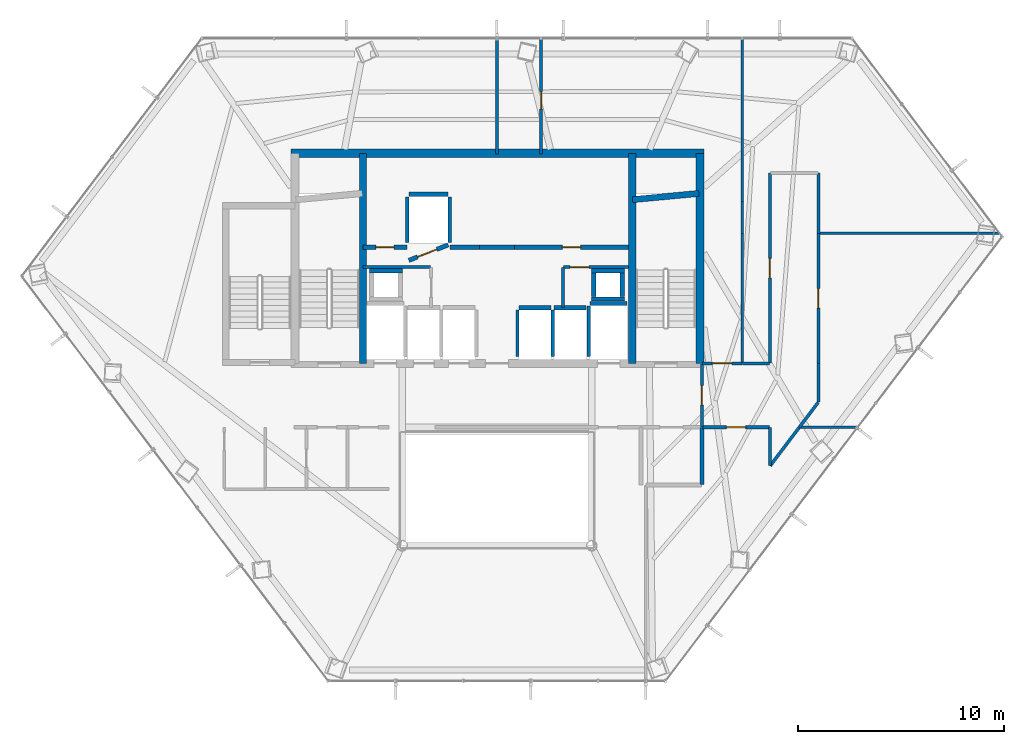
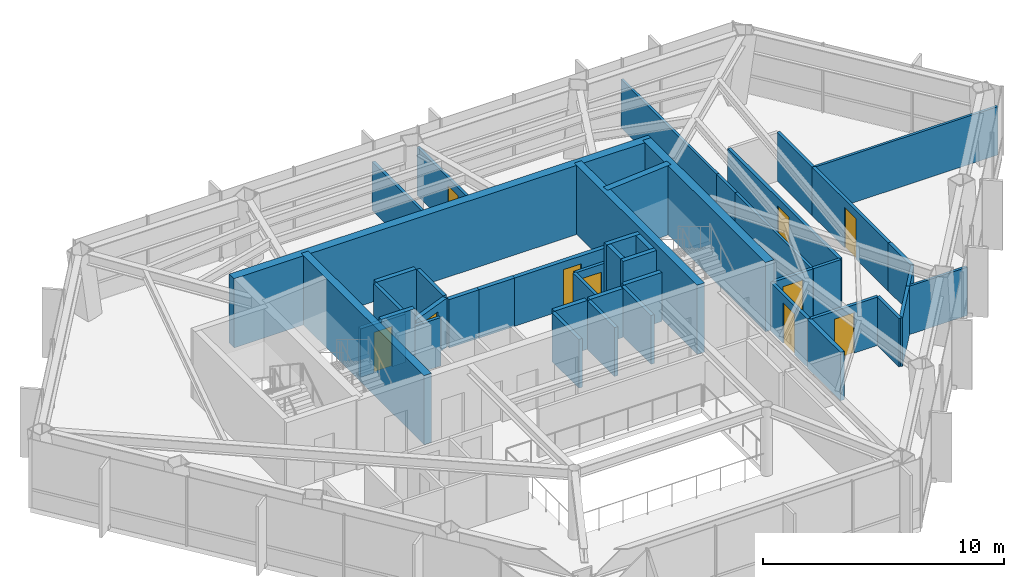
# One storey, part 26 of 28: 46 walls, 10 doors, 10 openings.
"""IFC4 building model written with IfcOpenShell, lengths in metres."""

from ifc_helpers import new_model, si_unit, direction, frame, frame_2d, origin, place, context, subcontext, project, spatial, rectangle, extrude, material, layer, layer_set, type_object, element, fill, save


model = new_model("IFC4")

# Units and contexts
model_context = context("Model", 3, precision=1e-05, world=origin(), true_north=direction((0.0, 1.0)))
body_context = subcontext(model_context, "Body", "Model", "MODEL_VIEW")
ifc_project = project(units=[si_unit("LENGTHUNIT", "METRE"), si_unit("AREAUNIT", "SQUARE_METRE"), si_unit("VOLUMEUNIT", "CUBIC_METRE"), si_unit("PLANEANGLEUNIT", "RADIAN"), si_unit("MASSUNIT", "GRAM", prefix="KILO")], contexts=[model_context])

# Site, building, storey
site_placement = place(None, origin())
site = spatial("IfcSite", under=ifc_project, at=site_placement, CompositionType="ELEMENT")
building_placement = place(site_placement, origin())
building = spatial("IfcBuilding", under=site, at=building_placement, Name="Zarrinselat Tower", CompositionType="ELEMENT")
storey_placement = place(building_placement, frame((0.0, 0.0, 153.340087890625)))
storey = spatial("IfcBuildingStorey", under=building, at=storey_placement, Name="L37", CompositionType="ELEMENT", Elevation=153.340087890625)

# Walls
ifc_material_1 = material(Name="Concrete C40/50", Category="concrete")
ifc_layer_1 = layer(ifc_material_1, 0.18994140625)
ifc_layer_set_1 = layer_set([ifc_layer_1], Name="Concrete C40/50")
wall_type_1 = type_object("IfcWallType", Name="WAL-PART-EI120", PredefinedType="PARTITIONING", material=ifc_layer_set_1)
wall_1_placement = place(storey_placement, frame((48.35009765625, 27.3701171875, 0.0), z_axis=(0.0, 0.0, 1.0), x_axis=(0.0, 1.0, 0.0)))
element("IfcWall", 1, at=wall_1_placement, inside=storey, type_object=wall_type_1, Name="L37 Partition Wall 17", PredefinedType="PARTITIONING", context=body_context, shape_type="SweptSolid", body=[
    extrude(rectangle(XDim=2.759765625, YDim=0.18994140625, at=frame_2d((1.3798828125, 0.0))), origin(), (0.0, 0.0, 1.0), 2.447021484375),
])
ifc_material_2 = material(Name="Fire-Rated Gypsum Board Partition", Category="gypsum")
ifc_layer_2 = layer(ifc_material_2, 0.14990234375)
ifc_layer_set_2 = layer_set([ifc_layer_2], Name="Fire-Rated Gypsum Board Partition")
wall_type_2 = type_object("IfcWallType", Name="WAL-PART-EI60", PredefinedType="PARTITIONING", material=ifc_layer_set_2)
wall_2_placement = place(storey_placement, frame((31.885009765625, 37.919921875, 0.0), z_axis=(0.0, 0.0, 1.0), x_axis=(1.0, 0.0, 0.0)))
element("IfcWall", 2, at=wall_2_placement, inside=storey, type_object=wall_type_2, Name="L37 Partition Wall 2", PredefinedType="PARTITIONING", context=body_context, shape_type="SweptSolid", body=[
    extrude(rectangle(XDim=3.294921875, YDim=0.14990234375, at=frame_2d((1.6474609375, 0.0))), origin(), (0.0, 0.0, 1.0), 2.447021484375),
])

# Wall, opening, door
wall_3_placement = place(storey_placement, frame((41.6201171875, 37.919921875, 0.0), z_axis=(0.0, 0.0, 1.0), x_axis=(1.0, 0.0, 0.0)))
wall_3 = element("IfcWall", 3, at=wall_3_placement, inside=storey, type_object=wall_type_2, Name="L37 Partition Wall 7", PredefinedType="PARTITIONING", context=body_context, shape_type="SweptSolid", body=[
    extrude(rectangle(XDim=3.164794921875, YDim=0.14990234375, at=frame_2d((1.58251953125, 0.0))), origin(), (0.0, 0.0, 1.0), 2.447021484375),
])
opening_1_placement = place(wall_3_placement, frame((0.3125, 0.0, 0.0)))
opening_1 = element("IfcOpeningElement", 4, at=opening_1_placement, cuts=wall_3, Name="Opening ID-04", PredefinedType="OPENING", context=body_context, shape_type="SweptSolid", body=[
    extrude(rectangle(XDim=0.93994140625, YDim=2.050048828125, at=frame_2d((0.469970703125, 1.02490234375))), frame((0.0, 0.0849609375, 0.0), z_axis=(0.0, -1.0, 0.0), x_axis=(1.0, 0.0, 0.0)), (0.0, 0.0, 1.0), 0.169921875),
])
ifc_material_3 = material(Name="Fire-Rated Gypsum Board Partition")
door_type_1 = type_object("IfcDoorType", Name="DR-INT-FD30-ENT", OperationType="NOTDEFINED", PredefinedType="DOOR", material=ifc_material_3)
door_1_placement = place(opening_1_placement, origin())
door_1 = element("IfcDoor", 5, at=door_1_placement, inside=storey, type_object=door_type_1, Name="L37 Interior Door P7", OperationType="SINGLE_SWING_RIGHT", OverallHeight=2.050048828125, OverallWidth=0.93994140625, PredefinedType="DOOR", context=body_context, shape_type="SweptSolid", body=[
    extrude(rectangle(XDim=0.93994140625, YDim=2.050048828125, at=frame_2d((0.469970703125, 1.02490234375))), frame((0.0, 0.02490234375, 0.0), z_axis=(0.0, -1.0, 0.0), x_axis=(1.0, 0.0, 0.0)), (0.0, 0.0, 1.0), 0.050048828125),
])
fill(opening_1, door_1)

# Wall
wall_4_placement = place(storey_placement, frame((41.60009765625, 35.969970703125, 0.0), z_axis=(0.0, 0.0, 1.0), x_axis=(0.0, 1.0, 0.0)))
element("IfcWall", 6, at=wall_4_placement, inside=storey, type_object=wall_type_2, Name="L37 Partition Wall 8", PredefinedType="PARTITIONING", context=body_context, shape_type="SweptSolid", body=[
    extrude(rectangle(XDim=1.929931640625, YDim=0.14990234375, at=frame_2d((0.96484375, 0.0))), origin(), (0.0, 0.0, 1.0), 2.447021484375),
])

# Wall, opening, door
wall_5_placement = place(storey_placement, frame((48.35009765625, 30.169921875, 0.0), z_axis=(0.0, 0.0, 1.0), x_axis=(0.0, 1.0, 0.0)))
wall_5 = element("IfcWall", 7, at=wall_5_placement, inside=storey, type_object=wall_type_2, Name="L37 Partition Wall 10", PredefinedType="PARTITIONING", context=body_context, shape_type="SweptSolid", body=[
    extrude(rectangle(XDim=3.06005859375, YDim=0.14990234375, at=frame_2d((1.530029296875, 0.0))), origin(), (0.0, 0.0, 1.0), 2.447021484375),
])
opening_2_placement = place(wall_5_placement, frame((1.06005859375, 0.0, 0.0)))
opening_2 = element("IfcOpeningElement", 8, at=opening_2_placement, cuts=wall_5, Name="Opening ID-04", PredefinedType="OPENING", context=body_context, shape_type="SweptSolid", body=[
    extrude(rectangle(XDim=0.93994140625, YDim=2.050048828125, at=frame_2d((0.469970703125, 1.02490234375))), frame((0.0, 0.0849609375, 0.0), z_axis=(0.0, -1.0, 0.0), x_axis=(1.0, 0.0, 0.0)), (0.0, 0.0, 1.0), 0.169921875),
])
door_2_placement = place(opening_2_placement, origin())
door_2 = element("IfcDoor", 9, at=door_2_placement, inside=storey, type_object=door_type_1, Name="L37 Interior Door P10", OperationType="SINGLE_SWING_RIGHT", OverallHeight=2.050048828125, OverallWidth=0.93994140625, PredefinedType="DOOR", context=body_context, shape_type="SweptSolid", body=[
    extrude(rectangle(XDim=0.93994140625, YDim=2.050048828125, at=frame_2d((0.469970703125, 1.02490234375))), frame((0.0, 0.02490234375, 0.0), z_axis=(0.0, -1.0, 0.0), x_axis=(1.0, 0.0, 0.0)), (0.0, 0.0, 1.0), 0.050048828125),
])
fill(opening_2, door_2)

# Walls
wall_6_placement = place(storey_placement, frame((51.662109375, 28.28173828125, 0.0), z_axis=(0.0, 0.0, 1.0), x_axis=(0.603811538878, 0.797127107504, 0.0)))
element("IfcWall", 10, at=wall_6_placement, inside=storey, type_object=wall_type_2, Name="L37 Partition Wall 18", PredefinedType="PARTITIONING", context=body_context, shape_type="SweptSolid", body=[
    extrude(rectangle(XDim=2.3427734375, YDim=0.14990234375, at=frame_2d((1.17138671875, 0.0))), origin(), (0.0, 0.0, 1.0), 2.447021484375),
])
wall_7_placement = place(storey_placement, frame((51.64990234375, 28.285888671875, 0.0), z_axis=(0.0, 0.0, 1.0), x_axis=(0.0, 1.0, 0.0)))
element("IfcWall", 11, at=wall_7_placement, inside=storey, type_object=wall_type_2, Name="L37 Partition Wall 19", PredefinedType="PARTITIONING", context=body_context, shape_type="SweptSolid", body=[
    extrude(rectangle(XDim=1.843994140625, YDim=0.14990234375, at=frame_2d((0.921875, 0.0))), origin(), (0.0, 0.0, 1.0), 2.447021484375),
])

# Wall, opening, door
wall_8_placement = place(storey_placement, frame((48.3701171875, 30.14990234375, 0.0), z_axis=(0.0, 0.0, 1.0), x_axis=(1.0, 0.0, 0.0)))
wall_8 = element("IfcWall", 12, at=wall_8_placement, inside=storey, type_object=wall_type_2, Name="L37 Partition Wall 20", PredefinedType="PARTITIONING", context=body_context, shape_type="SweptSolid", body=[
    extrude(rectangle(XDim=3.259765625, YDim=0.14990234375, at=frame_2d((1.6298828125, 0.0))), origin(), (0.0, 0.0, 1.0), 2.447021484375),
])
opening_3_placement = place(wall_8_placement, frame((1.159912109375, 0.0, 0.0)))
opening_3 = element("IfcOpeningElement", 13, at=opening_3_placement, cuts=wall_8, Name="Opening ID-04", PredefinedType="OPENING", context=body_context, shape_type="SweptSolid", body=[
    extrude(rectangle(XDim=0.93994140625, YDim=2.050048828125, at=frame_2d((0.469970703125, 1.02490234375))), frame((0.0, 0.0849609375, 0.0), z_axis=(0.0, -1.0, 0.0), x_axis=(1.0, 0.0, 0.0)), (0.0, 0.0, 1.0), 0.169921875),
])
door_3_placement = place(opening_3_placement, origin())
door_3 = element("IfcDoor", 14, at=door_3_placement, inside=storey, type_object=door_type_1, Name="L37 Interior Door P20", OperationType="SINGLE_SWING_RIGHT", OverallHeight=2.050048828125, OverallWidth=0.93994140625, PredefinedType="DOOR", context=body_context, shape_type="SweptSolid", body=[
    extrude(rectangle(XDim=0.93994140625, YDim=2.050048828125, at=frame_2d((0.469970703125, 1.02490234375))), frame((0.0, 0.02490234375, 0.0), z_axis=(0.0, -1.0, 0.0), x_axis=(1.0, 0.0, 0.0)), (0.0, 0.0, 1.0), 0.050048828125),
])
fill(opening_3, door_3)

wall_9_placement = place(storey_placement, frame((54.0, 33.25, 0.0), z_axis=(0.0, 0.0, 1.0), x_axis=(0.0, 1.0, 0.0)))
wall_9 = element("IfcWall", 15, at=wall_9_placement, inside=storey, type_object=wall_type_2, Name="L37 Partition Wall 21", PredefinedType="PARTITIONING", context=body_context, shape_type="SweptSolid", body=[
    extrude(rectangle(XDim=6.306640625, YDim=0.14990234375, at=frame_2d((3.1533203125, 0.0))), origin(), (0.0, 0.0, 1.0), 2.447021484375),
])
opening_4_placement = place(wall_9_placement, frame((2.683349609375, 0.0, 0.0)))
opening_4 = element("IfcOpeningElement", 16, at=opening_4_placement, cuts=wall_9, Name="Opening ID-04", PredefinedType="OPENING", context=body_context, shape_type="SweptSolid", body=[
    extrude(rectangle(XDim=0.93994140625, YDim=2.050048828125, at=frame_2d((0.469970703125, 1.02490234375))), frame((0.0, 0.0849609375, 0.0), z_axis=(0.0, -1.0, 0.0), x_axis=(1.0, 0.0, 0.0)), (0.0, 0.0, 1.0), 0.169921875),
])
door_4_placement = place(opening_4_placement, origin())
door_4 = element("IfcDoor", 17, at=door_4_placement, inside=storey, type_object=door_type_1, Name="L37 Interior Door P21", OperationType="SINGLE_SWING_LEFT", OverallHeight=2.050048828125, OverallWidth=0.93994140625, PredefinedType="DOOR", context=body_context, shape_type="SweptSolid", body=[
    extrude(rectangle(XDim=0.93994140625, YDim=2.050048828125, at=frame_2d((0.469970703125, 1.02490234375))), frame((0.0, 0.02490234375, 0.0), z_axis=(0.0, -1.0, 0.0), x_axis=(1.0, 0.0, 0.0)), (0.0, 0.0, 1.0), 0.050048828125),
])
fill(opening_4, door_4)

# Walls
wall_10_placement = place(storey_placement, frame((54.0, 31.3876953125, 0.0), z_axis=(0.0, 0.0, 1.0), x_axis=(0.0, 1.0, 0.0)))
element("IfcWall", 18, at=wall_10_placement, inside=storey, type_object=wall_type_2, Name="L37 Partition Wall 22", PredefinedType="PARTITIONING", context=body_context, shape_type="SweptSolid", body=[
    extrude(rectangle(XDim=1.8623046875, YDim=0.14990234375, at=frame_2d((0.93115234375, 0.0))), origin(), (0.0, 0.0, 1.0), 2.447021484375),
])
wall_11_placement = place(storey_placement, frame((53.080322265625, 30.154052734375, 0.0), z_axis=(0.0, 0.0, 1.0), x_axis=(0.603892095683, 0.797066080555, 0.0)))
element("IfcWall", 19, at=wall_11_placement, inside=storey, type_object=wall_type_2, Name="L37 Partition Wall 23", PredefinedType="PARTITIONING", context=body_context, shape_type="SweptSolid", body=[
    extrude(rectangle(XDim=1.502685546875, YDim=0.14990234375, at=frame_2d((0.75146484375, 0.0))), origin(), (0.0, 0.0, 1.0), 2.447021484375),
])
wall_12_placement = place(storey_placement, frame((50.304931640625, 33.25, 0.0), z_axis=(0.0, 0.0, 1.0), x_axis=(1.0, 0.0, 0.0)))
element("IfcWall", 20, at=wall_12_placement, inside=storey, type_object=wall_type_2, Name="L37 Partition Wall 24", PredefinedType="PARTITIONING", context=body_context, shape_type="SweptSolid", body=[
    extrude(rectangle(XDim=1.324951171875, YDim=0.14990234375, at=frame_2d((0.66259765625, 0.0))), origin(), (0.0, 0.0, 1.0), 2.447021484375),
])

# Wall, opening, door
wall_13_placement = place(storey_placement, frame((51.64990234375, 33.27001953125, 0.0), z_axis=(0.0, 0.0, 1.0), x_axis=(0.0, 1.0, 0.0)))
wall_13 = element("IfcWall", 21, at=wall_13_placement, inside=storey, type_object=wall_type_2, Name="L37 Partition Wall 25", PredefinedType="PARTITIONING", context=body_context, shape_type="SweptSolid", body=[
    extrude(rectangle(XDim=9.2099609375, YDim=0.14990234375, at=frame_2d((4.60498046875, 0.0))), origin(), (0.0, 0.0, 1.0), 2.447021484375),
])
opening_5_placement = place(wall_13_placement, frame((4.135009765625, 0.0, 0.0)))
opening_5 = element("IfcOpeningElement", 22, at=opening_5_placement, cuts=wall_13, Name="Opening ID-04", PredefinedType="OPENING", context=body_context, shape_type="SweptSolid", body=[
    extrude(rectangle(XDim=0.93994140625, YDim=2.050048828125, at=frame_2d((0.469970703125, 1.02490234375))), frame((0.0, 0.0849609375, 0.0), z_axis=(0.0, -1.0, 0.0), x_axis=(1.0, 0.0, 0.0)), (0.0, 0.0, 1.0), 0.169921875),
])
door_5_placement = place(opening_5_placement, origin())
door_5 = element("IfcDoor", 23, at=door_5_placement, inside=storey, type_object=door_type_1, Name="L37 Interior Door P25", OperationType="SINGLE_SWING_RIGHT", OverallHeight=2.050048828125, OverallWidth=0.93994140625, PredefinedType="DOOR", context=body_context, shape_type="SweptSolid", body=[
    extrude(rectangle(XDim=0.93994140625, YDim=2.050048828125, at=frame_2d((0.469970703125, 1.02490234375))), frame((0.0, 0.02490234375, 0.0), z_axis=(0.0, -1.0, 0.0), x_axis=(1.0, 0.0, 0.0)), (0.0, 0.0, 1.0), 0.050048828125),
])
fill(opening_5, door_5)

# Wall
wall_14_placement = place(storey_placement, frame((54.0, 39.566650390625, 0.0), z_axis=(0.0, 0.0, 1.0), x_axis=(0.0, 1.0, 0.0)))
element("IfcWall", 24, at=wall_14_placement, inside=storey, type_object=wall_type_2, Name="L37 Partition Wall 27", PredefinedType="PARTITIONING", context=body_context, shape_type="SweptSolid", body=[
    extrude(rectangle(XDim=2.913330078125, YDim=0.14990234375, at=frame_2d((1.45654296875, 0.0))), origin(), (0.0, 0.0, 1.0), 2.447021484375),
])

# Wall, opening, door
wall_15_placement = place(storey_placement, frame((48.364990234375, 33.25, 0.0), z_axis=(0.0, 0.0, 1.0), x_axis=(1.0, 0.0, 0.0)))
wall_15 = element("IfcWall", 25, at=wall_15_placement, inside=storey, type_object=wall_type_2, Name="L37 Partition Wall 28", PredefinedType="PARTITIONING", context=body_context, shape_type="SweptSolid", body=[
    extrude(rectangle(XDim=1.929931640625, YDim=0.14990234375, at=frame_2d((0.96484375, 0.0))), origin(), (0.0, 0.0, 1.0), 2.447021484375),
])
opening_6_placement = place(wall_15_placement, frame((0.4951171875, 0.0, 0.0)))
opening_6 = element("IfcOpeningElement", 26, at=opening_6_placement, cuts=wall_15, Name="Opening ID-04", PredefinedType="OPENING", context=body_context, shape_type="SweptSolid", body=[
    extrude(rectangle(XDim=0.93994140625, YDim=2.050048828125, at=frame_2d((0.469970703125, 1.02490234375))), frame((0.0, 0.0849609375, 0.0), z_axis=(0.0, -1.0, 0.0), x_axis=(1.0, 0.0, 0.0)), (0.0, 0.0, 1.0), 0.169921875),
])
door_6_placement = place(opening_6_placement, origin())
door_6 = element("IfcDoor", 27, at=door_6_placement, inside=storey, type_object=door_type_1, Name="L37 Interior Door P28", OperationType="SINGLE_SWING_LEFT", OverallHeight=2.050048828125, OverallWidth=0.93994140625, PredefinedType="DOOR", context=body_context, shape_type="SweptSolid", body=[
    extrude(rectangle(XDim=0.93994140625, YDim=2.050048828125, at=frame_2d((0.469970703125, 1.02490234375))), frame((0.0, 0.02490234375, 0.0), z_axis=(0.0, -1.0, 0.0), x_axis=(1.0, 0.0, 0.0)), (0.0, 0.0, 1.0), 0.050048828125),
])
fill(opening_6, door_6)

ifc_material_4 = material(Name="Concrete C40/50", Category="concrete")
ifc_layer_3 = layer(ifc_material_4, 0.199951171875)
ifc_layer_set_3 = layer_set([ifc_layer_3], Name="Concrete C40/50")
wall_type_3 = type_object("IfcWallType", Name="WAL-PART-PLANT", PredefinedType="PARTITIONING", material=ifc_layer_set_3)
wall_16_placement = place(storey_placement, frame((31.885009765625, 38.889892578125, 0.0), z_axis=(0.0, 0.0, 1.0), x_axis=(1.0, 0.0, 0.0)))
wall_16 = element("IfcWall", 28, at=wall_16_placement, inside=storey, type_object=wall_type_3, Name="L37 Partition Wall 3", PredefinedType="PARTITIONING", context=body_context, shape_type="SweptSolid", body=[
    extrude(rectangle(XDim=2.14990234375, YDim=0.199951171875, at=frame_2d((1.074951171875, 0.0))), origin(), (0.0, 0.0, 1.0), 2.447021484375),
])
opening_7_placement = place(wall_16_placement, frame((0.635009765625, 0.0, 0.0)))
opening_7 = element("IfcOpeningElement", 29, at=opening_7_placement, cuts=wall_16, Name="Opening ID-03", PredefinedType="OPENING", context=body_context, shape_type="SweptSolid", body=[
    extrude(rectangle(XDim=0.8798828125, YDim=2.050048828125, at=frame_2d((0.43994140625, 1.02490234375))), frame((0.0, 0.10986328125, 0.0), z_axis=(0.0, -1.0, 0.0), x_axis=(1.0, 0.0, 0.0)), (0.0, 0.0, 1.0), 0.219970703125),
])
ifc_material_5 = material(Name="Steel S355J2", Category="steel")
door_type_2 = type_object("IfcDoorType", Name="DR-INT-FD60-S", OperationType="NOTDEFINED", PredefinedType="DOOR", material=ifc_material_5)
door_7_placement = place(opening_7_placement, origin())
door_7 = element("IfcDoor", 30, at=door_7_placement, inside=storey, type_object=door_type_2, Name="L37 Interior Door P3", OperationType="SINGLE_SWING_RIGHT", OverallHeight=2.050048828125, OverallWidth=0.8798828125, PredefinedType="DOOR", context=body_context, shape_type="SweptSolid", body=[
    extrude(rectangle(XDim=0.8798828125, YDim=2.050048828125, at=frame_2d((0.43994140625, 1.02490234375))), frame((0.0, 0.02490234375, 0.0), z_axis=(0.0, -1.0, 0.0), x_axis=(1.0, 0.0, 0.0)), (0.0, 0.0, 1.0), 0.050048828125),
])
fill(opening_7, door_7)

# Walls
wall_17_placement = place(storey_placement, frame((36.114990234375, 38.889892578125, 0.0), z_axis=(0.0, 0.0, 1.0), x_axis=(1.0, 0.0, 0.0)))
element("IfcWall", 31, at=wall_17_placement, inside=storey, type_object=wall_type_3, Name="L37 Partition Wall 4", PredefinedType="PARTITIONING", context=body_context, shape_type="SweptSolid", body=[
    extrude(rectangle(XDim=1.43505859375, YDim=0.199951171875, at=frame_2d((0.717529296875, 0.0))), origin(), (0.0, 0.0, 1.0), 2.447021484375),
])
wall_18_placement = place(storey_placement, frame((37.550048828125, 38.889892578125, 0.0), z_axis=(0.0, 0.0, 1.0), x_axis=(1.0, 0.0, 0.0)))
element("IfcWall", 32, at=wall_18_placement, inside=storey, type_object=wall_type_3, Name="L37 Partition Wall 5", PredefinedType="PARTITIONING", context=body_context, shape_type="SweptSolid", body=[
    extrude(rectangle(XDim=1.699951171875, YDim=0.199951171875, at=frame_2d((0.85009765625, 0.0))), origin(), (0.0, 0.0, 1.0), 2.447021484375),
])

# Wall, opening, door
wall_19_placement = place(storey_placement, frame((39.25, 38.889892578125, 0.0), z_axis=(0.0, 0.0, 1.0), x_axis=(1.0, 0.0, 0.0)))
wall_19 = element("IfcWall", 33, at=wall_19_placement, inside=storey, type_object=wall_type_3, Name="L37 Partition Wall 6", PredefinedType="PARTITIONING", context=body_context, shape_type="SweptSolid", body=[
    extrude(rectangle(XDim=5.534912109375, YDim=0.199951171875, at=frame_2d((2.767578125, 0.0))), origin(), (0.0, 0.0, 1.0), 2.447021484375),
])
opening_8_placement = place(wall_19_placement, frame((2.327392578125, 0.0, 0.0)))
opening_8 = element("IfcOpeningElement", 34, at=opening_8_placement, cuts=wall_19, Name="Opening ID-03", PredefinedType="OPENING", context=body_context, shape_type="SweptSolid", body=[
    extrude(rectangle(XDim=0.8798828125, YDim=2.050048828125, at=frame_2d((0.43994140625, 1.02490234375))), frame((0.0, 0.10986328125, 0.0), z_axis=(0.0, -1.0, 0.0), x_axis=(1.0, 0.0, 0.0)), (0.0, 0.0, 1.0), 0.219970703125),
])
door_8_placement = place(opening_8_placement, origin())
door_8 = element("IfcDoor", 35, at=door_8_placement, inside=storey, type_object=door_type_2, Name="L37 Interior Door P6", OperationType="SINGLE_SWING_LEFT", OverallHeight=2.050048828125, OverallWidth=0.8798828125, PredefinedType="DOOR", context=body_context, shape_type="SweptSolid", body=[
    extrude(rectangle(XDim=0.8798828125, YDim=2.050048828125, at=frame_2d((0.43994140625, 1.02490234375))), frame((0.0, 0.02490234375, 0.0), z_axis=(0.0, -1.0, 0.0), x_axis=(1.0, 0.0, 0.0)), (0.0, 0.0, 1.0), 0.050048828125),
])
fill(opening_8, door_8)

# Walls
ifc_material_6 = material(Name="Fire-Rated Gypsum Board Partition", Category="gypsum")
ifc_layer_4 = layer(ifc_material_6, 0.1201171875)
ifc_layer_set_4 = layer_set([ifc_layer_4], Name="Fire-Rated Gypsum Board Partition")
wall_type_4 = type_object("IfcWallType", Name="WAL-PART-STD", PredefinedType="PARTITIONING", material=ifc_layer_set_4)
wall_20_placement = place(storey_placement, frame((53.097412109375, 30.14990234375, 0.0), z_axis=(0.0, 0.0, 1.0), x_axis=(1.0, 0.0, 0.0)))
element("IfcWall", 36, at=wall_20_placement, inside=storey, type_object=wall_type_4, Name="L37 Partition Wall 39", PredefinedType="PARTITIONING", context=body_context, shape_type="SweptSolid", body=[
    extrude(rectangle(XDim=2.80029296875, YDim=0.1201171875, at=frame_2d((1.400146484375, 0.0))), origin(), (0.0, 0.0, 1.0), 2.447021484375),
])
wall_21_placement = place(storey_placement, frame((54.02001953125, 39.561767578125, 0.0), z_axis=(0.0, 0.0, 1.0), x_axis=(1.0, 0.0, 0.0)))
element("IfcWall", 37, at=wall_21_placement, inside=storey, type_object=wall_type_4, Name="L37 Partition Wall 40", PredefinedType="PARTITIONING", context=body_context, shape_type="SweptSolid", body=[
    extrude(rectangle(XDim=8.773193359375, YDim=0.1201171875, at=frame_2d((4.38671875, 0.0))), origin(), (0.0, 0.0, 1.0), 2.447021484375),
])
wall_22_placement = place(storey_placement, frame((50.300048828125, 33.27001953125, 0.0), z_axis=(0.0, 0.0, 1.0), x_axis=(0.0, 1.0, 0.0)))
element("IfcWall", 38, at=wall_22_placement, inside=storey, type_object=wall_type_4, Name="L37 Partition Wall 41", PredefinedType="PARTITIONING", context=body_context, shape_type="SweptSolid", body=[
    extrude(rectangle(XDim=6.291748046875, YDim=0.1201171875, at=frame_2d((3.14599609375, 0.0))), origin(), (0.0, 0.0, 1.0), 2.447021484375),
])
wall_23_placement = place(storey_placement, frame((50.300048828125, 39.561767578125, 0.0), z_axis=(0.0, 0.0, 1.0), x_axis=(0.0, 1.0, 0.0)))
element("IfcWall", 39, at=wall_23_placement, inside=storey, type_object=wall_type_4, Name="L37 Partition Wall 42", PredefinedType="PARTITIONING", context=body_context, shape_type="SweptSolid", body=[
    extrude(rectangle(XDim=1.5498046875, YDim=0.1201171875, at=frame_2d((0.77490234375, 0.0))), origin(), (0.0, 0.0, 1.0), 2.447021484375),
])
wall_24_placement = place(storey_placement, frame((50.300048828125, 41.111572265625, 0.0), z_axis=(0.0, 0.0, 1.0), x_axis=(0.0, 1.0, 0.0)))
element("IfcWall", 40, at=wall_24_placement, inside=storey, type_object=wall_type_4, Name="L37 Partition Wall 43", PredefinedType="PARTITIONING", context=body_context, shape_type="SweptSolid", body=[
    extrude(rectangle(XDim=7.90673828125, YDim=0.1201171875, at=frame_2d((3.953369140625, 0.0))), origin(), (0.0, 0.0, 1.0), 2.447021484375),
])
ifc_material_7 = material(Name="Fire-Rated Gypsum Board Partition", Category="gypsum")
ifc_layer_5 = layer(ifc_material_7, 0.135009765625)
ifc_layer_set_5 = layer_set([ifc_layer_5], Name="Fire-Rated Gypsum Board Partition")
wall_type_5 = type_object("IfcWallType", Name="WAL-PART-WET", PredefinedType="PARTITIONING", material=ifc_layer_set_5)
wall_25_placement = place(storey_placement, frame((38.39990234375, 43.4150390625, 0.0), z_axis=(0.0, 0.0, 1.0), x_axis=(0.0, 1.0, 0.0)))
element("IfcWall", 41, at=wall_25_placement, inside=storey, type_object=wall_type_5, Name="L37 Partition Wall 38", PredefinedType="PARTITIONING", context=body_context, shape_type="SweptSolid", body=[
    extrude(rectangle(XDim=5.603271484375, YDim=0.135009765625, at=frame_2d((2.8017578125, 0.0))), origin(), (0.0, 0.0, 1.0), 2.447021484375),
])

# Wall, opening, door
wall_26_placement = place(storey_placement, frame((40.5419921875, 43.4150390625, 0.0), z_axis=(0.0, 0.0, 1.0), x_axis=(0.0, 1.0, 0.0)))
wall_26 = element("IfcWall", 42, at=wall_26_placement, inside=storey, type_object=wall_type_5, Name="L37 Partition Wall 44", PredefinedType="PARTITIONING", context=body_context, shape_type="SweptSolid", body=[
    extrude(rectangle(XDim=5.603271484375, YDim=0.135009765625, at=frame_2d((2.8017578125, 0.0))), origin(), (0.0, 0.0, 1.0), 2.447021484375),
])
opening_9_placement = place(wall_26_placement, frame((2.171630859375, 0.0, 0.0)))
opening_9 = element("IfcOpeningElement", 43, at=opening_9_placement, cuts=wall_26, Name="Opening ID-06", PredefinedType="OPENING", context=body_context, shape_type="SweptSolid", body=[
    extrude(rectangle(XDim=0.860107421875, YDim=2.050048828125, at=frame_2d((0.43017578125, 1.02490234375))), frame((0.0, 0.077392578125, 0.0), z_axis=(0.0, -1.0, 0.0), x_axis=(1.0, 0.0, 0.0)), (0.0, 0.0, 1.0), 0.155029296875),
])
ifc_material_8 = material(Name="Extruded Aluminium Alloy EN AW-6063 T6", Category="aluminium")
door_type_3 = type_object("IfcDoorType", Name="DR-INT-WET-900", OperationType="NOTDEFINED", PredefinedType="DOOR", material=ifc_material_8)
door_9_placement = place(opening_9_placement, origin())
door_9 = element("IfcDoor", 44, at=door_9_placement, inside=storey, type_object=door_type_3, Name="L37 Interior Door P44", OperationType="SINGLE_SWING_RIGHT", OverallHeight=2.050048828125, OverallWidth=0.860107421875, PredefinedType="DOOR", context=body_context, shape_type="SweptSolid", body=[
    extrude(rectangle(XDim=0.860107421875, YDim=2.050048828125, at=frame_2d((0.43017578125, 1.02490234375))), frame((0.0, 0.02490234375, 0.0), z_axis=(0.0, -1.0, 0.0), x_axis=(1.0, 0.0, 0.0)), (0.0, 0.0, 1.0), 0.050048828125),
])
fill(opening_9, door_9)

# Walls
ifc_material_9 = material(Name="Concrete C40/50", Category="concrete")
ifc_layer_6 = layer(ifc_material_9, 0.2099609375)
ifc_layer_set_6 = layer_set([ifc_layer_6], Name="Concrete C40/50")
wall_type_6 = type_object("IfcWallType", Name="WAL-SHAFT-210", PredefinedType="SOLIDWALL", material=ifc_layer_set_6)
wall_27_placement = place(storey_placement, frame((42.919921875, 36.155029296875, 0.0), z_axis=(0.0, 0.0, 1.0), x_axis=(1.0, 0.0, 0.0)))
element("IfcWall", 45, at=wall_27_placement, inside=storey, type_object=wall_type_6, Name="L37 Lift FFL2 North Shaft Wall", PredefinedType="SOLIDWALL", context=body_context, shape_type="SweptSolid", body=[
    extrude(rectangle(XDim=1.800048828125, YDim=0.2099609375, at=frame_2d((0.89990234375, 0.0))), origin(), (0.0, 0.0, 1.0), 2.471923828125),
])
wall_28_placement = place(storey_placement, frame((42.85009765625, 33.580078125, 0.0), z_axis=(0.0, 0.0, 1.0), x_axis=(0.0, 1.0, 0.0)))
element("IfcWall", 46, at=wall_28_placement, inside=storey, type_object=wall_type_6, Name="L37 Lift FFL2 W Shaft Wall", PredefinedType="SOLIDWALL", context=body_context, shape_type="SweptSolid", body=[
    extrude(rectangle(XDim=2.449951171875, YDim=0.159912109375, at=frame_2d((1.22509765625, 0.0))), origin(), (0.0, 0.0, 1.0), 2.471923828125),
])

# Wall, opening, door
wall_29_placement = place(storey_placement, frame((34.1201171875, 38.25, 0.0), z_axis=(0.0, 0.0, 1.0), x_axis=(0.930804993012, 0.36551616241, 0.0)))
wall_29 = element("IfcWall", 47, at=wall_29_placement, inside=storey, type_object=wall_type_6, Name="L37 Lift PL7 Front Shaft Wall", PredefinedType="SOLIDWALL", context=body_context, shape_type="SweptSolid", body=[
    extrude(rectangle(XDim=2.052001953125, YDim=0.2099609375, at=frame_2d((1.02587890625, 0.0))), origin(), (0.0, 0.0, 1.0), 2.471923828125),
])
opening_10_placement = place(wall_29_placement, frame((0.455078125, 0.0, 0.0)))
opening_10 = element("IfcOpeningElement", 48, at=opening_10_placement, cuts=wall_29, Name="Opening LD-PL7", PredefinedType="OPENING", context=body_context, shape_type="SweptSolid", body=[
    extrude(rectangle(XDim=1.0, YDim=2.10009765625, at=frame_2d((0.5, 1.050048828125))), frame((0.0, 0.114990234375, 0.0), z_axis=(0.0, -1.0, 0.0), x_axis=(1.0, 0.0, 0.0)), (0.0, 0.0, 1.0), 0.22998046875),
])
ifc_material_10 = material(Name="Steel S355J2", Category="steel")
door_type_4 = type_object("IfcDoorType", Name="DR-LIFT-PS-1000", OperationType="NOTDEFINED", PredefinedType="DOOR", material=ifc_material_10)
door_10_placement = place(opening_10_placement, origin())
door_10 = element("IfcDoor", 49, at=door_10_placement, inside=storey, type_object=door_type_4, Name="L37 Lift PL7 Sliding Landing Door", OperationType="SLIDING_TO_LEFT", OverallHeight=2.10009765625, OverallWidth=1.0, PredefinedType="DOOR", context=body_context, shape_type="SweptSolid", body=[
    extrude(rectangle(XDim=1.0, YDim=2.10009765625, at=frame_2d((0.5, 1.050048828125))), frame((0.0, 0.02490234375, 0.0), z_axis=(0.0, -1.0, 0.0), x_axis=(1.0, 0.0, 0.0)), (0.0, 0.0, 1.0), 0.050048828125),
])
fill(opening_10, door_10)

# Walls
wall_30_placement = place(storey_placement, frame((34.1201171875, 41.455078125, 0.0), z_axis=(0.0, 0.0, 1.0), x_axis=(1.0, 0.0, 0.0)))
element("IfcWall", 50, at=wall_30_placement, inside=storey, type_object=wall_type_6, Name="L37 Lift PL7 Rear Shaft Wall", PredefinedType="SOLIDWALL", context=body_context, shape_type="SweptSolid", body=[
    extrude(rectangle(XDim=1.909912109375, YDim=0.2099609375, at=frame_2d((0.955078125, 0.0))), origin(), (0.0, 0.0, 1.0), 2.471923828125),
])
for number, where, z_axis, x_axis, name in (
    (51, (34.050048828125, 39.1201171875, 0.0), (0.0, 0.0, 1.0), (0.0, 1.0, 0.0), "L37 Lift PL7 W Shaft Wall"),
    (52, (36.10009765625, 39.1201171875, 0.0), (0.0, 0.0, 1.0), (0.0, 1.0, 0.0), "L37 Lift PL7 E Shaft Wall"),
):
    element("IfcWall", number, at=place(storey_placement, frame(where, z_axis=z_axis, x_axis=x_axis)), inside=storey, type_object=wall_type_6, Name=name, PredefinedType="SOLIDWALL", context=body_context, shape_type="SweptSolid", body=[
        extrude(rectangle(XDim=2.2099609375, YDim=0.159912109375, at=frame_2d((1.10498046875, 0.0))), origin(), (0.0, 0.0, 1.0), 2.471923828125),
    ])
wall_31_placement = place(storey_placement, frame((39.469970703125, 35.955078125, 0.0), z_axis=(0.0, 0.0, 1.0), x_axis=(1.0, 0.0, 0.0)))
element("IfcWall", 53, at=wall_31_placement, inside=storey, type_object=wall_type_6, Name="L37 Lift PL8 North Shaft Wall", PredefinedType="SOLIDWALL", context=body_context, shape_type="SweptSolid", body=[
    extrude(rectangle(XDim=1.56005859375, YDim=0.2099609375, at=frame_2d((0.780029296875, 0.0))), origin(), (0.0, 0.0, 1.0), 2.471923828125),
])
for number, where, z_axis, x_axis, name in (
    (54, (39.39990234375, 33.580078125, 0.0), (0.0, 0.0, 1.0), (0.0, 1.0, 0.0), "L37 Lift PL8 W Shaft Wall"),
    (55, (41.10009765625, 33.580078125, 0.0), (0.0, 0.0, 1.0), (0.0, 1.0, 0.0), "L37 Lift PL8 E Shaft Wall"),
):
    element("IfcWall", number, at=place(storey_placement, frame(where, z_axis=z_axis, x_axis=x_axis)), inside=storey, type_object=wall_type_6, Name=name, PredefinedType="SOLIDWALL", context=body_context, shape_type="SweptSolid", body=[
        extrude(rectangle(XDim=2.25, YDim=0.159912109375, at=frame_2d((1.125, 0.0))), origin(), (0.0, 0.0, 1.0), 2.471923828125),
    ])
wall_32_placement = place(storey_placement, frame((41.169921875, 35.955078125, 0.0), z_axis=(0.0, 0.0, 1.0), x_axis=(1.0, 0.0, 0.0)))
element("IfcWall", 56, at=wall_32_placement, inside=storey, type_object=wall_type_6, Name="L37 Lift PL9 North Shaft Wall", PredefinedType="SOLIDWALL", context=body_context, shape_type="SweptSolid", body=[
    extrude(rectangle(XDim=1.56005859375, YDim=0.2099609375, at=frame_2d((0.780029296875, 0.0))), origin(), (0.0, 0.0, 1.0), 2.471923828125),
])
for number, where, z_axis, x_axis, name in (
    (57, (32.2099609375, 37.7451171875, 0.0), (0.0, 0.0, 1.0), (1.0, 0.0, 0.0), "L37 Core Riser RSR-W N Shaft Wall"),
    (58, (42.989990234375, 36.375, 0.0), (0.0, 0.0, 1.0), (1.0, 0.0, 0.0), "L37 Core Riser RSR-E S Shaft Wall"),
    (59, (42.989990234375, 37.7451171875, 0.0), (0.0, 0.0, 1.0), (1.0, 0.0, 0.0), "L37 Core Riser RSR-E N Shaft Wall"),
):
    element("IfcWall", number, at=place(storey_placement, frame(where, z_axis=z_axis, x_axis=x_axis)), inside=storey, type_object=wall_type_6, Name=name, PredefinedType="SOLIDWALL", context=body_context, shape_type="SweptSolid", body=[
        extrude(rectangle(XDim=1.60009765625, YDim=0.2099609375, at=frame_2d((0.800048828125, 0.0))), origin(), (0.0, 0.0, 1.0), 3.5),
    ])
for number, where, z_axis, x_axis, name in (
    (60, (43.094970703125, 36.485107421875, 0.0), (0.0, 0.0, 1.0), (0.0, 1.0, 0.0), "L37 Core Riser RSR-E W Shaft Wall"),
    (61, (44.485107421875, 36.485107421875, 0.0), (0.0, 0.0, 1.0), (0.0, 1.0, 0.0), "L37 Core Riser RSR-E E Shaft Wall"),
):
    element("IfcWall", number, at=place(storey_placement, frame(where, z_axis=z_axis, x_axis=x_axis)), inside=storey, type_object=wall_type_6, Name=name, PredefinedType="SOLIDWALL", context=body_context, shape_type="SweptSolid", body=[
        extrude(rectangle(XDim=1.14990234375, YDim=0.2099609375, at=frame_2d((0.574951171875, 0.0))), origin(), (0.0, 0.0, 1.0), 3.5),
    ])
ifc_material_11 = material(Name="Concrete C40/50", Category="concrete")
ifc_layer_7 = layer(ifc_material_11, 0.300048828125)
ifc_layer_set_7 = layer_set([ifc_layer_7], Name="Concrete C40/50")
wall_type_7 = type_object("IfcWallType", Name="WAL-SHEAR-300", PredefinedType="SHEAR", material=ifc_layer_set_7)
wall_33_placement = place(storey_placement, frame((44.97998046875, 41.199951171875, 0.0), z_axis=(0.0, 0.0, 1.0), x_axis=(0.995686468965, 0.09278176286, 0.0)))
element("IfcWall", 62, at=wall_33_placement, inside=storey, type_object=wall_type_7, Name="L37 Stair 2 North Shaft Wall", PredefinedType="SHEAR", context=body_context, shape_type="SweptSolid", body=[
    extrude(rectangle(XDim=3.23388671875, YDim=0.300048828125, at=frame_2d((1.616943359375, 0.0))), origin(), (0.0, 0.0, 1.0), 3.5),
])
ifc_material_12 = material(Name="Concrete C50/60", Category="concrete")
ifc_layer_8 = layer(ifc_material_12, 0.35009765625)
ifc_layer_set_8 = layer_set([ifc_layer_8], Name="Concrete C50/60")
wall_type_8 = type_object("IfcWallType", Name="WAL-SHEAR-350", PredefinedType="SHEAR", material=ifc_layer_set_8)
for number, where, z_axis, x_axis, name in (
    (63, (31.89501953125, 33.25, 0.0), (0.0, 0.0, 1.0), (0.0, 1.0, 0.0), "L37 Core Shear Wall ST1E"),
    (64, (44.965087890625, 33.25, 0.0), (0.0, 0.0, 1.0), (0.0, 1.0, 0.0), "L37 Core Shear Wall ST2W"),
):
    element("IfcWall", number, at=place(storey_placement, frame(where, z_axis=z_axis, x_axis=x_axis)), inside=storey, type_object=wall_type_8, Name=name, PredefinedType="SHEAR", context=body_context, shape_type="SweptSolid", body=[
        extrude(rectangle(XDim=10.199951171875, YDim=0.35009765625, at=frame_2d((5.10009765625, 0.0))), origin(), (0.0, 0.0, 1.0), 3.5),
    ])
ifc_material_13 = material(Name="Concrete C60/75", Category="concrete")
ifc_layer_9 = layer(ifc_material_13, 0.39990234375)
ifc_layer_set_9 = layer_set([ifc_layer_9], Name="Concrete C60/75")
wall_type_9 = type_object("IfcWallType", Name="WAL-SHEAR-400", PredefinedType="SHEAR", material=ifc_layer_set_9)
wall_34_placement = place(storey_placement, frame((28.39990234375, 43.449951171875, 0.0), z_axis=(0.0, 0.0, 1.0), x_axis=(1.0, 0.0, 0.0)))
element("IfcWall", 65, at=wall_34_placement, inside=storey, type_object=wall_type_9, Name="L37 North Core Shear Wall", PredefinedType="SHEAR", context=body_context, shape_type="SweptSolid", body=[
    extrude(rectangle(XDim=20.06005859375, YDim=0.39990234375, at=frame_2d((10.030029296875, 0.0))), origin(), (0.0, 0.0, 1.0), 3.5),
])
wall_35_placement = place(storey_placement, frame((48.260009765625, 33.25, 0.0), z_axis=(0.0, 0.0, 1.0), x_axis=(0.0, 1.0, 0.0)))
element("IfcWall", 66, at=wall_35_placement, inside=storey, type_object=wall_type_9, Name="L37 Core Shear Wall E", PredefinedType="SHEAR", context=body_context, shape_type="SweptSolid", body=[
    extrude(rectangle(XDim=10.199951171875, YDim=0.39990234375, at=frame_2d((5.10009765625, 0.0))), origin(), (0.0, 0.0, 1.0), 3.5),
])

save(model, "model.ifc")
